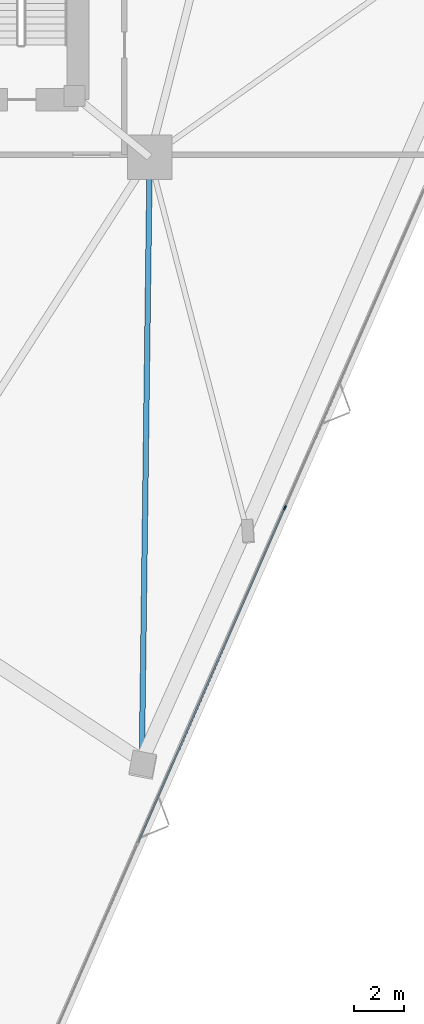
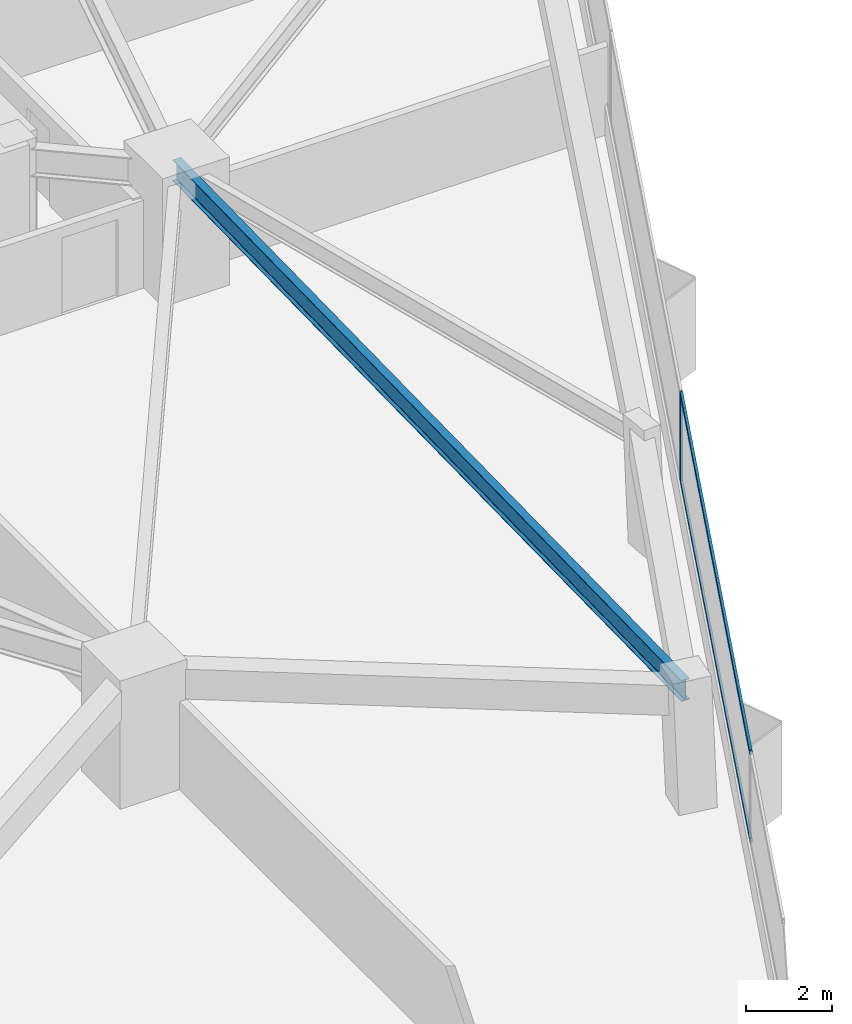
# One storey, part 5 of 20: 3 members, 1 beam, 1 element without a shape of its own.
"""IFC4 building model written with IfcOpenShell, lengths in metres."""

import ifcopenshell
import ifcopenshell.guid

model = None  # the IFC model being written
_history = None  # IfcOwnerHistory: only IFC2X3 demands one
_inside = {}  # id of a spatial element -> (the spatial element, [elements in it])
_under = {}  # id of a project, library or spatial element -> (it, [spatial elements below it])
_declared = {}  # id of a project -> (the project, [libraries it declares])
_typed = {}  # id of a type object -> (the type object, [elements of that type])
_made_of = {}  # id of a material, layer set ... -> (it, [elements and type objects made of it])


def new_model(schema):
    """Start an empty IFC model of exactly this schema.

    Asked for "IFC4X3", IfcOpenShell would pick the latest addendum, in which some entities
    have other attributes; the version numbers below select the first issue.
    IFC2X3 requires an IfcOwnerHistory on every rooted entity: one is made here for all.
    """
    global model, _history
    if schema == "IFC4X3":
        model = ifcopenshell.file(schema_version=(4, 3, 0, 0))
    else:
        model = ifcopenshell.file(schema=schema)
    _inside.clear()
    _under.clear()
    _declared.clear()
    _typed.clear()
    _made_of.clear()
    _history = None
    if model.schema == "IFC2X3":
        org = make("IfcOrganization", Name="unknown")
        user = make(
            "IfcPersonAndOrganization",
            ThePerson=make("IfcPerson", FamilyName="unknown"),
            TheOrganization=org,
        )
        app = make(
            "IfcApplication",
            ApplicationDeveloper=org,
            Version="unknown",
            ApplicationFullName="unknown",
            ApplicationIdentifier="unknown",
        )
        _history = make(
            "IfcOwnerHistory",
            OwningUser=user,
            OwningApplication=app,
            ChangeAction="ADDED",
            CreationDate=0,
        )
    return model


def make(cls, **values):
    """One entity of the class cls with the attributes given. An attribute that is None is left unset."""
    return model.create_entity(
        cls, **{name: value for name, value in values.items() if value is not None}
    )


def rooted(cls, **values):
    """An entity with a GlobalId (a new one), such as an element, a storey or a relation."""
    return make(cls, GlobalId=ifcopenshell.guid.new(), OwnerHistory=_history, **values)


def si_unit(unit_type, name, prefix=None):
    """IfcSIUnit, for example si_unit("LENGTHUNIT", "METRE", prefix="MILLI")."""
    return make("IfcSIUnit", UnitType=unit_type, Prefix=prefix, Name=name)


def assignment(units):
    """IfcUnitAssignment: the units of a project."""
    return None if units is None else make("IfcUnitAssignment", Units=units)


def point(xyz):
    """IfcCartesianPoint."""
    return None if xyz is None else make("IfcCartesianPoint", Coordinates=xyz)


def direction(xyz):
    """IfcDirection."""
    return None if xyz is None else make("IfcDirection", DirectionRatios=xyz)


def frame(location, z_axis=None, x_axis=None):
    """IfcAxis2Placement3D, a coordinate frame: its origin and axes. An axis left out is left unset."""
    return make(
        "IfcAxis2Placement3D",
        Location=point(location),
        Axis=direction(z_axis),
        RefDirection=direction(x_axis),
    )


def frame_2d(location, x_axis=None):
    """IfcAxis2Placement2D, a coordinate frame in the plane: its origin and x axis."""
    return make(
        "IfcAxis2Placement2D", Location=point(location), RefDirection=direction(x_axis)
    )


def origin():
    """The frame at (0, 0, 0) with its axes left unset."""
    return frame((0.0, 0.0, 0.0))


def origin_2d():
    """The frame at (0, 0) in the plane with its x axis left unset."""
    return frame_2d((0.0, 0.0))


def place(relative_to, where):
    """IfcLocalPlacement: puts the frame where relative to a parent placement (None: the world)."""
    return make(
        "IfcLocalPlacement", PlacementRelTo=relative_to, RelativePlacement=where
    )


def context(
    kind, dimensions, precision=None, world=None, true_north=None, identifier=None
):
    """IfcGeometricRepresentationContext, for example the 3D "Model" context."""
    return make(
        "IfcGeometricRepresentationContext",
        ContextIdentifier=identifier,
        ContextType=kind,
        CoordinateSpaceDimension=dimensions,
        Precision=precision,
        WorldCoordinateSystem=world,
        TrueNorth=true_north,
    )


def subcontext(parent, identifier, kind, view, scale=None):
    """IfcGeometricRepresentationSubContext, for example "Body" below "Model"."""
    return make(
        "IfcGeometricRepresentationSubContext",
        ContextIdentifier=identifier,
        ContextType=kind,
        ParentContext=parent,
        TargetScale=scale,
        TargetView=view,
    )


def project(units=None, contexts=None):
    """IfcProject with its units and contexts."""
    return rooted(
        "IfcProject",
        Name="project",
        RepresentationContexts=contexts,
        UnitsInContext=assignment(units),
    )


def spatial(cls, under=None, at=None, **own):
    """A site, building, storey or space (cls), placed at a placement, below another one or the project."""
    s = rooted(cls, ObjectPlacement=at, **own)
    if under is not None:
        _under.setdefault(under.id(), (under, []))[1].append(s)
    return s


def profile(cls, at=None, kind="AREA", **sizes):
    """A parametric profile (cls). Its sizes go by their IFC names, for example OverallWidth=200.0."""
    return make(cls, ProfileType=kind, Position=at, **sizes)


def rectangle(**sizes):
    """IfcRectangleProfileDef."""
    return profile("IfcRectangleProfileDef", **sizes)


def i_section(**sizes):
    """IfcIShapeProfileDef."""
    return profile("IfcIShapeProfileDef", **sizes)


def extrude(swept, where, along, depth):
    """IfcExtrudedAreaSolid: the profile swept, set in the frame where, extruded along a direction by depth."""
    return make(
        "IfcExtrudedAreaSolid",
        SweptArea=swept,
        Position=where,
        ExtrudedDirection=direction(along),
        Depth=depth,
    )


def shape(context_of_items, identifier, shape_type, items):
    """IfcShapeRepresentation: the items that make up one representation, for example the "Body"."""
    return make(
        "IfcShapeRepresentation",
        ContextOfItems=context_of_items,
        RepresentationIdentifier=identifier,
        RepresentationType=shape_type,
        Items=items,
    )


def material(Name=None, Category=None):
    """IfcMaterial."""
    return make("IfcMaterial", Name=Name, Category=Category)


def layer(
    of_material, thickness, ventilated=None, Name=None, Category=None, Priority=None
):
    """IfcMaterialLayer: one layer of a wall or slab, of a material (None: an air gap)."""
    return make(
        "IfcMaterialLayer",
        Material=of_material,
        LayerThickness=thickness,
        IsVentilated=ventilated,
        Name=Name,
        Category=Category,
        Priority=Priority,
    )


def layer_set(layers, Name=None):
    """IfcMaterialLayerSet."""
    return make("IfcMaterialLayerSet", MaterialLayers=layers, LayerSetName=Name)


def material_profile(
    of_material, cross_section, Name=None, Category=None, Priority=None
):
    """IfcMaterialProfile: a cross section and its material."""
    return make(
        "IfcMaterialProfile",
        Name=Name,
        Material=of_material,
        Profile=cross_section,
        Priority=Priority,
        Category=Category,
    )


def profile_set(profiles, Name=None, composite=None):
    """IfcMaterialProfileSet."""
    return make(
        "IfcMaterialProfileSet",
        Name=Name,
        MaterialProfiles=profiles,
        CompositeProfile=composite,
    )


def made_of(thing, what):
    """Note that an element or type object is made of a material, layer set ...; save() writes the relation."""
    if what is not None:
        _made_of.setdefault(what.id(), (what, []))[1].append(thing)
    return thing


def type_object(cls, material=None, **own):
    """A type object (cls), such as IfcWallType, which elements share."""
    return made_of(rooted(cls, **own), material)


def element(
    cls,
    number,
    at=None,
    inside=None,
    cuts=None,
    type_object=None,
    material=None,
    context=None,
    identifier="Body",
    shape_type=None,
    held_by="IfcProductDefinitionShape",
    body=None,
    shapes=None,
    **own,
):
    """One element of the class cls, such as IfcWall. Its Tag is "e" and its number.

    at: its placement. inside: the storey or other place that contains it. cuts: it is an
    opening in that element (IfcRelVoidsElement). A single representation is given by context,
    identifier, shape_type and body (its items); several are given by shapes. held_by: the class
    of the entity that holds the representations. save() writes the other relations.
    """
    e = rooted(cls, Tag="e%d" % number, ObjectPlacement=at, **own)
    if body is not None:
        shapes = [shape(context, identifier, shape_type, body)]
    if shapes is not None:
        e.Representation = make(held_by, Representations=shapes)
    if inside is not None:
        _inside.setdefault(inside.id(), (inside, []))[1].append(e)
    if cuts is not None:
        rooted(
            "IfcRelVoidsElement", RelatingBuildingElement=cuts, RelatedOpeningElement=e
        )
    if type_object is not None:
        _typed.setdefault(type_object.id(), (type_object, []))[1].append(e)
    return made_of(e, material)


def aggregate(whole, parts):
    """IfcRelAggregates: a whole, such as a stair, and the parts it consists of."""
    return rooted("IfcRelAggregates", RelatingObject=whole, RelatedObjects=parts)


def save(model, path):
    """Write the relations noted so far, then the file.

    IfcRelAggregates (storeys below a building ...), IfcRelContainedInSpatialStructure (elements
    in a storey), IfcRelDefinesByType, IfcRelAssociatesMaterial and IfcRelDeclares: one each for
    every whole, place, type object, material and project.
    """
    for whole, parts in _under.values():
        aggregate(whole, parts)
    for where, things in _inside.values():
        rooted(
            "IfcRelContainedInSpatialStructure",
            RelatedElements=things,
            RelatingStructure=where,
        )
    for kind, things in _typed.values():
        rooted("IfcRelDefinesByType", RelatedObjects=things, RelatingType=kind)
    for what, things in _made_of.values():
        rooted("IfcRelAssociatesMaterial", RelatedObjects=things, RelatingMaterial=what)
    for by, libraries in _declared.values():
        rooted("IfcRelDeclares", RelatingContext=by, RelatedDefinitions=libraries)
    model.write(path)


model = new_model("IFC4")

# Units and contexts
model_context = context("Model", 3, precision=1e-05, world=origin(), true_north=direction((0.0, 1.0)))
body_context = subcontext(model_context, "Body", "Model", "MODEL_VIEW")
ifc_project = project(units=[si_unit("LENGTHUNIT", "METRE"), si_unit("AREAUNIT", "SQUARE_METRE"), si_unit("VOLUMEUNIT", "CUBIC_METRE"), si_unit("PLANEANGLEUNIT", "RADIAN"), si_unit("MASSUNIT", "GRAM", prefix="KILO")], contexts=[model_context])

# Site, building, storey
site_placement = place(None, origin())
site = spatial("IfcSite", under=ifc_project, at=site_placement, CompositionType="ELEMENT")
building_placement = place(site_placement, origin())
building = spatial("IfcBuilding", under=site, at=building_placement, Name="Talyreon Biosciences Tower", CompositionType="ELEMENT")
storey_placement = place(building_placement, frame((0.0, 0.0, 26.449951171875)))
storey = spatial("IfcBuildingStorey", under=building, at=storey_placement, Name="L06", CompositionType="ELEMENT", Elevation=26.449951171875)

# Curtain wall, members
ifc_material_1 = material(Name="Thermally broken aluminium and low-E glazing", Category="aluminium")
ifc_layer = layer(ifc_material_1, 0.195068359375)
ifc_layer_set = layer_set([ifc_layer], Name="Thermally broken aluminium and low-E glazing")
curtain_wall_type = type_object("IfcCurtainWallType", Name="CurtainWall_Zone1WetLab", PredefinedType="NOTDEFINED", material=ifc_layer_set)
curtain_wall_placement = place(storey_placement, origin())
curtain_wall = element("IfcCurtainWall", 1, at=curtain_wall_placement, inside=storey, type_object=curtain_wall_type, Name="L06 Unitised Curtain Wall FCW-L06-08", PredefinedType="NOTDEFINED")
ifc_material_2 = material(Name="Anodised thermally broken aluminium", Category="aluminium")
ifc_material_profile_1 = material_profile(ifc_material_2, rectangle(XDim=0.06494140625, YDim=0.179931640625, at=origin_2d()), Name="ALUM MULLION 65x180")
ifc_profile_set_1 = profile_set([ifc_material_profile_1], Name="Anodised thermally broken aluminium")
member_type_1 = type_object("IfcMemberType", Name="CWMullion_65x180", PredefinedType="MULLION", material=ifc_profile_set_1)
member_1_placement = place(storey_placement, frame((82.5341796875, 44.752685546875, 0.81005859375), z_axis=(0.0, 0.0, 1.0), x_axis=(0.915926900592, -0.401345129249, 0.0)))
member_1 = element("IfcMember", 2, at=member_1_placement, type_object=member_type_1, Name="CW2 mullion 4", PredefinedType="MULLION", context=body_context, shape_type="SweptSolid", body=[
    extrude(rectangle(XDim=0.06494140625, YDim=0.179931640625, at=origin_2d()), origin(), (0.0, 0.0, 1.0), 2.56494140625),
])
ifc_material_profile_2 = material_profile(ifc_material_2, rectangle(XDim=0.06494140625, YDim=0.139892578125, at=origin_2d()), Name="ALUM TRANSOM 65x140")
ifc_profile_set_2 = profile_set([ifc_material_profile_2], Name="Anodised thermally broken aluminium")
member_type_2 = type_object("IfcMemberType", Name="CWTransom_65x140", PredefinedType="USERDEFINED", material=ifc_profile_set_2)
member_2_placement = place(storey_placement, frame((82.52099609375, 44.722900390625, 0.842529296875), z_axis=(-0.401345318485, -0.915926817672, 0.0), x_axis=(0.915926817672, -0.401345318485, 0.0)))
member_2 = element("IfcMember", 3, at=member_2_placement, type_object=member_type_2, Name="CW2 transom 4.1", ObjectType="TRANSOM", PredefinedType="USERDEFINED", context=body_context, shape_type="SweptSolid", body=[
    extrude(rectangle(XDim=0.06494140625, YDim=0.139892578125, at=origin_2d()), origin(), (0.0, 0.0, 1.0), 14.691162109375),
])
member_3_placement = place(storey_placement, frame((82.52099609375, 44.722900390625, 3.342529296875), z_axis=(-0.401345318485, -0.915926817672, 0.0), x_axis=(0.915926817672, -0.401345318485, 0.0)))
member_3 = element("IfcMember", 4, at=member_3_placement, type_object=member_type_2, Name="CW2 transom 4.2", ObjectType="TRANSOM", PredefinedType="USERDEFINED", context=body_context, shape_type="SweptSolid", body=[
    extrude(rectangle(XDim=0.06494140625, YDim=0.139892578125, at=origin_2d()), origin(), (0.0, 0.0, 1.0), 14.691162109375),
])
aggregate(curtain_wall, [member_1, member_2, member_3])

# Beam
ifc_material_3 = material(Name="Steel SM355", Category="steel")
ifc_material_profile_3 = material_profile(ifc_material_3, i_section(OverallWidth=0.219970703125, OverallDepth=0.60009765625, WebThickness=0.011962890625, FlangeThickness=0.01904296875, FilletRadius=0.02392578125, at=origin_2d()), Name="IPE600")
ifc_profile_set_3 = profile_set([ifc_material_profile_3], Name="Steel SM355")
beam_type = type_object("IfcBeamType", Name="SteelJoist_IPE600", PredefinedType="JOIST", material=ifc_profile_set_3)
beam_placement = place(storey_placement, frame((77.086181640625, 58.88037109375, 3.074951171875), z_axis=(-0.012963101006, -0.999915975476, 0.0), x_axis=(0.999915975476, -0.012963101006, 0.0)))
element("IfcBeam", 5, at=beam_placement, inside=storey, type_object=beam_type, Name="L06 Radial Composite Floor Joist PC-SE1", PredefinedType="JOIST", context=body_context, shape_type="SweptSolid", body=[
    extrude(i_section(OverallWidth=0.219970703125, OverallDepth=0.60009765625, WebThickness=0.011962890625, FlangeThickness=0.01904296875, FilletRadius=0.02392578125, at=origin_2d()), origin(), (0.0, 0.0, 1.0), 24.31396484375),
])

save(model, "model.ifc")
